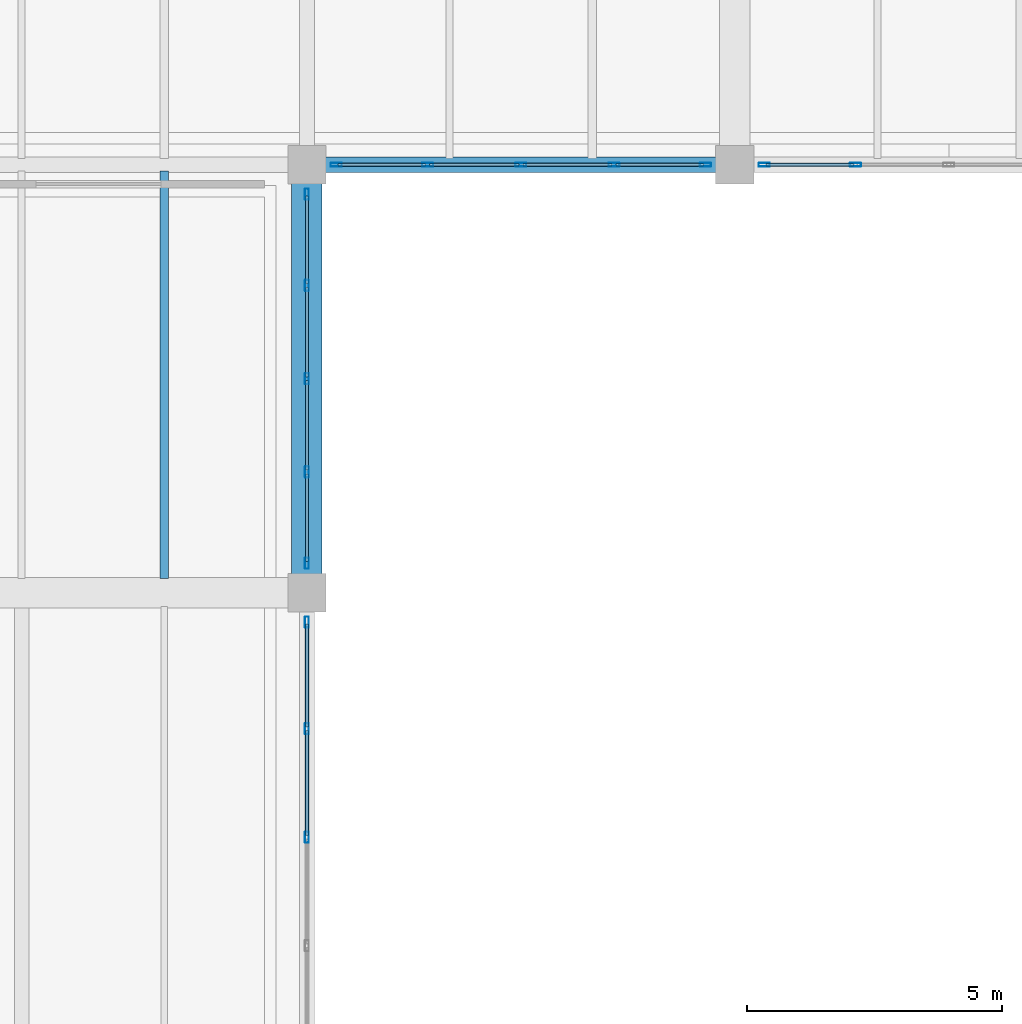
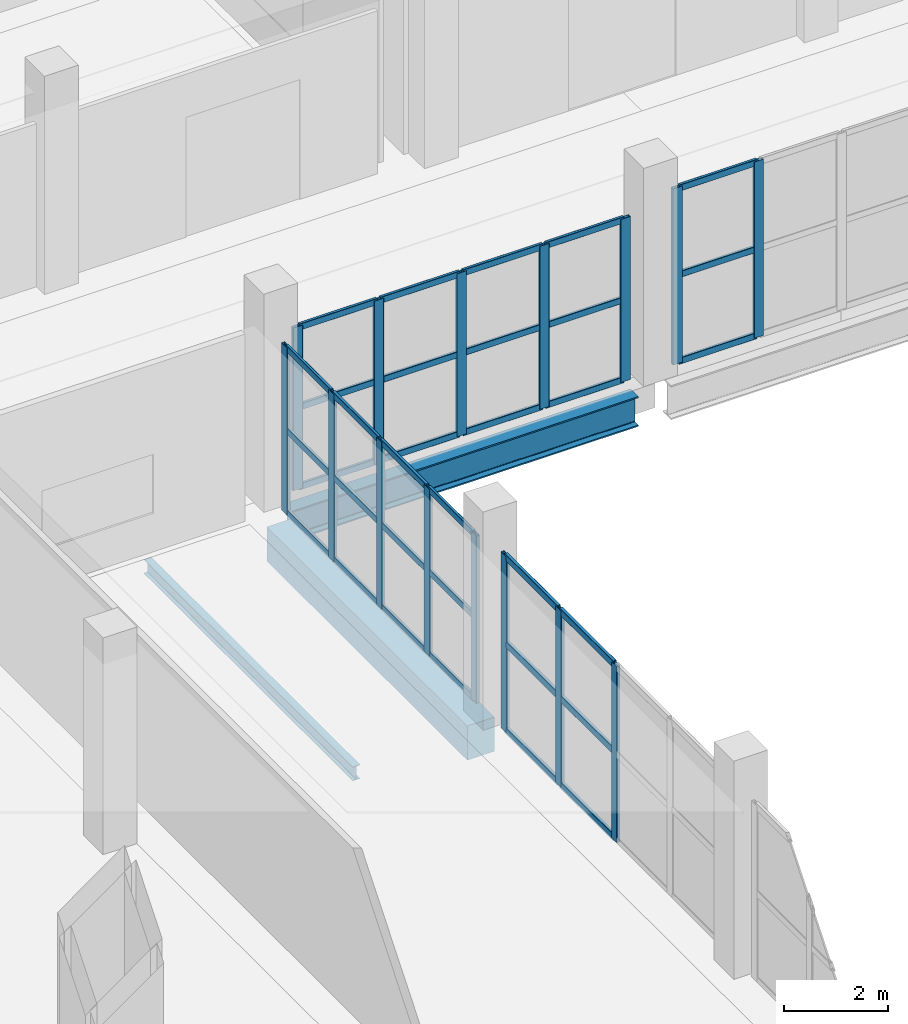
# One storey, part 42 of 77: 48 members, 3 beams, 4 elements without a shape of their own.
"""IFC4 building model written with IfcOpenShell, lengths in metres."""

import ifcopenshell
import ifcopenshell.guid

model = None  # the IFC model being written
_history = None  # IfcOwnerHistory: only IFC2X3 demands one
_inside = {}  # id of a spatial element -> (the spatial element, [elements in it])
_under = {}  # id of a project, library or spatial element -> (it, [spatial elements below it])
_declared = {}  # id of a project -> (the project, [libraries it declares])
_typed = {}  # id of a type object -> (the type object, [elements of that type])
_made_of = {}  # id of a material, layer set ... -> (it, [elements and type objects made of it])


def new_model(schema):
    """Start an empty IFC model of exactly this schema.

    Asked for "IFC4X3", IfcOpenShell would pick the latest addendum, in which some entities
    have other attributes; the version numbers below select the first issue.
    IFC2X3 requires an IfcOwnerHistory on every rooted entity: one is made here for all.
    """
    global model, _history
    if schema == "IFC4X3":
        model = ifcopenshell.file(schema_version=(4, 3, 0, 0))
    else:
        model = ifcopenshell.file(schema=schema)
    _inside.clear()
    _under.clear()
    _declared.clear()
    _typed.clear()
    _made_of.clear()
    _history = None
    if model.schema == "IFC2X3":
        org = make("IfcOrganization", Name="unknown")
        user = make(
            "IfcPersonAndOrganization",
            ThePerson=make("IfcPerson", FamilyName="unknown"),
            TheOrganization=org,
        )
        app = make(
            "IfcApplication",
            ApplicationDeveloper=org,
            Version="unknown",
            ApplicationFullName="unknown",
            ApplicationIdentifier="unknown",
        )
        _history = make(
            "IfcOwnerHistory",
            OwningUser=user,
            OwningApplication=app,
            ChangeAction="ADDED",
            CreationDate=0,
        )
    return model


def make(cls, **values):
    """One entity of the class cls with the attributes given. An attribute that is None is left unset."""
    return model.create_entity(
        cls, **{name: value for name, value in values.items() if value is not None}
    )


def rooted(cls, **values):
    """An entity with a GlobalId (a new one), such as an element, a storey or a relation."""
    return make(cls, GlobalId=ifcopenshell.guid.new(), OwnerHistory=_history, **values)


def si_unit(unit_type, name, prefix=None):
    """IfcSIUnit, for example si_unit("LENGTHUNIT", "METRE", prefix="MILLI")."""
    return make("IfcSIUnit", UnitType=unit_type, Prefix=prefix, Name=name)


def assignment(units):
    """IfcUnitAssignment: the units of a project."""
    return None if units is None else make("IfcUnitAssignment", Units=units)


def point(xyz):
    """IfcCartesianPoint."""
    return None if xyz is None else make("IfcCartesianPoint", Coordinates=xyz)


def direction(xyz):
    """IfcDirection."""
    return None if xyz is None else make("IfcDirection", DirectionRatios=xyz)


def frame(location, z_axis=None, x_axis=None):
    """IfcAxis2Placement3D, a coordinate frame: its origin and axes. An axis left out is left unset."""
    return make(
        "IfcAxis2Placement3D",
        Location=point(location),
        Axis=direction(z_axis),
        RefDirection=direction(x_axis),
    )


def frame_2d(location, x_axis=None):
    """IfcAxis2Placement2D, a coordinate frame in the plane: its origin and x axis."""
    return make(
        "IfcAxis2Placement2D", Location=point(location), RefDirection=direction(x_axis)
    )


def origin():
    """The frame at (0, 0, 0) with its axes left unset."""
    return frame((0.0, 0.0, 0.0))


def origin_2d():
    """The frame at (0, 0) in the plane with its x axis left unset."""
    return frame_2d((0.0, 0.0))


def place(relative_to, where):
    """IfcLocalPlacement: puts the frame where relative to a parent placement (None: the world)."""
    return make(
        "IfcLocalPlacement", PlacementRelTo=relative_to, RelativePlacement=where
    )


def context(
    kind, dimensions, precision=None, world=None, true_north=None, identifier=None
):
    """IfcGeometricRepresentationContext, for example the 3D "Model" context."""
    return make(
        "IfcGeometricRepresentationContext",
        ContextIdentifier=identifier,
        ContextType=kind,
        CoordinateSpaceDimension=dimensions,
        Precision=precision,
        WorldCoordinateSystem=world,
        TrueNorth=true_north,
    )


def subcontext(parent, identifier, kind, view, scale=None):
    """IfcGeometricRepresentationSubContext, for example "Body" below "Model"."""
    return make(
        "IfcGeometricRepresentationSubContext",
        ContextIdentifier=identifier,
        ContextType=kind,
        ParentContext=parent,
        TargetScale=scale,
        TargetView=view,
    )


def project(units=None, contexts=None):
    """IfcProject with its units and contexts."""
    return rooted(
        "IfcProject",
        Name="project",
        RepresentationContexts=contexts,
        UnitsInContext=assignment(units),
    )


def spatial(cls, under=None, at=None, **own):
    """A site, building, storey or space (cls), placed at a placement, below another one or the project."""
    s = rooted(cls, ObjectPlacement=at, **own)
    if under is not None:
        _under.setdefault(under.id(), (under, []))[1].append(s)
    return s


def profile(cls, at=None, kind="AREA", **sizes):
    """A parametric profile (cls). Its sizes go by their IFC names, for example OverallWidth=200.0."""
    return make(cls, ProfileType=kind, Position=at, **sizes)


def rectangle(**sizes):
    """IfcRectangleProfileDef."""
    return profile("IfcRectangleProfileDef", **sizes)


def hollow_rectangle(**sizes):
    """IfcRectangleHollowProfileDef."""
    return profile("IfcRectangleHollowProfileDef", **sizes)


def i_section(**sizes):
    """IfcIShapeProfileDef."""
    return profile("IfcIShapeProfileDef", **sizes)


def extrude(swept, where, along, depth):
    """IfcExtrudedAreaSolid: the profile swept, set in the frame where, extruded along a direction by depth."""
    return make(
        "IfcExtrudedAreaSolid",
        SweptArea=swept,
        Position=where,
        ExtrudedDirection=direction(along),
        Depth=depth,
    )


def shape(context_of_items, identifier, shape_type, items):
    """IfcShapeRepresentation: the items that make up one representation, for example the "Body"."""
    return make(
        "IfcShapeRepresentation",
        ContextOfItems=context_of_items,
        RepresentationIdentifier=identifier,
        RepresentationType=shape_type,
        Items=items,
    )


def material(Name=None, Category=None):
    """IfcMaterial."""
    return make("IfcMaterial", Name=Name, Category=Category)


def layer(
    of_material, thickness, ventilated=None, Name=None, Category=None, Priority=None
):
    """IfcMaterialLayer: one layer of a wall or slab, of a material (None: an air gap)."""
    return make(
        "IfcMaterialLayer",
        Material=of_material,
        LayerThickness=thickness,
        IsVentilated=ventilated,
        Name=Name,
        Category=Category,
        Priority=Priority,
    )


def layer_set(layers, Name=None):
    """IfcMaterialLayerSet."""
    return make("IfcMaterialLayerSet", MaterialLayers=layers, LayerSetName=Name)


def material_profile(
    of_material, cross_section, Name=None, Category=None, Priority=None
):
    """IfcMaterialProfile: a cross section and its material."""
    return make(
        "IfcMaterialProfile",
        Name=Name,
        Material=of_material,
        Profile=cross_section,
        Priority=Priority,
        Category=Category,
    )


def profile_set(profiles, Name=None, composite=None):
    """IfcMaterialProfileSet."""
    return make(
        "IfcMaterialProfileSet",
        Name=Name,
        MaterialProfiles=profiles,
        CompositeProfile=composite,
    )


def made_of(thing, what):
    """Note that an element or type object is made of a material, layer set ...; save() writes the relation."""
    if what is not None:
        _made_of.setdefault(what.id(), (what, []))[1].append(thing)
    return thing


def type_object(cls, material=None, **own):
    """A type object (cls), such as IfcWallType, which elements share."""
    return made_of(rooted(cls, **own), material)


def element(
    cls,
    number,
    at=None,
    inside=None,
    cuts=None,
    type_object=None,
    material=None,
    context=None,
    identifier="Body",
    shape_type=None,
    held_by="IfcProductDefinitionShape",
    body=None,
    shapes=None,
    **own,
):
    """One element of the class cls, such as IfcWall. Its Tag is "e" and its number.

    at: its placement. inside: the storey or other place that contains it. cuts: it is an
    opening in that element (IfcRelVoidsElement). A single representation is given by context,
    identifier, shape_type and body (its items); several are given by shapes. held_by: the class
    of the entity that holds the representations. save() writes the other relations.
    """
    e = rooted(cls, Tag="e%d" % number, ObjectPlacement=at, **own)
    if body is not None:
        shapes = [shape(context, identifier, shape_type, body)]
    if shapes is not None:
        e.Representation = make(held_by, Representations=shapes)
    if inside is not None:
        _inside.setdefault(inside.id(), (inside, []))[1].append(e)
    if cuts is not None:
        rooted(
            "IfcRelVoidsElement", RelatingBuildingElement=cuts, RelatedOpeningElement=e
        )
    if type_object is not None:
        _typed.setdefault(type_object.id(), (type_object, []))[1].append(e)
    return made_of(e, material)


def aggregate(whole, parts):
    """IfcRelAggregates: a whole, such as a stair, and the parts it consists of."""
    return rooted("IfcRelAggregates", RelatingObject=whole, RelatedObjects=parts)


def save(model, path):
    """Write the relations noted so far, then the file.

    IfcRelAggregates (storeys below a building ...), IfcRelContainedInSpatialStructure (elements
    in a storey), IfcRelDefinesByType, IfcRelAssociatesMaterial and IfcRelDeclares: one each for
    every whole, place, type object, material and project.
    """
    for whole, parts in _under.values():
        aggregate(whole, parts)
    for where, things in _inside.values():
        rooted(
            "IfcRelContainedInSpatialStructure",
            RelatedElements=things,
            RelatingStructure=where,
        )
    for kind, things in _typed.values():
        rooted("IfcRelDefinesByType", RelatedObjects=things, RelatingType=kind)
    for what, things in _made_of.values():
        rooted("IfcRelAssociatesMaterial", RelatedObjects=things, RelatingMaterial=what)
    for by, libraries in _declared.values():
        rooted("IfcRelDeclares", RelatingContext=by, RelatedDefinitions=libraries)
    model.write(path)


model = new_model("IFC4")

# Units and contexts
model_context = context("Model", 3, precision=1e-05, world=origin(), true_north=direction((0.0, 1.0)))
body_context = subcontext(model_context, "Body", "Model", "MODEL_VIEW")
ifc_project = project(units=[si_unit("LENGTHUNIT", "METRE"), si_unit("AREAUNIT", "SQUARE_METRE"), si_unit("VOLUMEUNIT", "CUBIC_METRE"), si_unit("PLANEANGLEUNIT", "RADIAN"), si_unit("MASSUNIT", "GRAM", prefix="KILO")], contexts=[model_context])

# Site, building, storey
site_placement = place(None, origin())
site = spatial("IfcSite", under=ifc_project, at=site_placement, CompositionType="ELEMENT")
building_placement = place(site_placement, origin())
building = spatial("IfcBuilding", under=site, at=building_placement, Name="Zulmaris Art Gallery", CompositionType="ELEMENT")
storey_placement = place(building_placement, frame((0.0, 0.0, 15.60009765625)))
storey = spatial("IfcBuildingStorey", under=building, at=storey_placement, Name="L03", CompositionType="ELEMENT", Elevation=15.60009765625)

# Beams
ifc_material_1 = material(Name="Steel S355J2", Category="steel")
ifc_material_profile_1 = material_profile(ifc_material_1, i_section(OverallWidth=0.300048828125, OverallDepth=0.699951171875, WebThickness=0.01708984375, FlangeThickness=0.031982421875, FilletRadius=0.027099609375, at=origin_2d()), Name="HEB 700")
ifc_profile_set_1 = profile_set([ifc_material_profile_1], Name="Steel S355J2")
beam_type_1 = type_object("IfcBeamType", Name="BEAM-BM16", PredefinedType="BEAM", material=ifc_profile_set_1)
beam_1_placement = place(storey_placement, frame((158.760009765625, 58.800048828125, -0.72021484375), z_axis=(1.0, 0.0, 0.0), x_axis=(0.0, 1.0, 0.0)))
element("IfcBeam", 1, at=beam_1_placement, inside=storey, type_object=beam_type_1, Name="L03 X-girder (158.4..166.8, y=58.8)", PredefinedType="BEAM", context=body_context, shape_type="SweptSolid", body=[
    extrude(i_section(OverallWidth=0.300048828125, OverallDepth=0.699951171875, WebThickness=0.01708984375, FlangeThickness=0.031982421875, FilletRadius=0.027099609375, at=origin_2d()), origin(), (0.0, 0.0, 1.0), 7.679931640625),
])
ifc_material_2 = material(Name="Concrete C40/50", Category="concrete")
ifc_material_profile_2 = material_profile(ifc_material_2, rectangle(XDim=0.60009765625, YDim=0.800048828125, at=origin_2d()), Name="RC 600x800")
ifc_profile_set_2 = profile_set([ifc_material_profile_2], Name="Concrete C40/50")
beam_type_2 = type_object("IfcBeamType", Name="BEAM-BM27", PredefinedType="BEAM", material=ifc_profile_set_2)
beam_2_placement = place(storey_placement, frame((158.39990234375, 50.760009765625, -0.77001953125), z_axis=(0.0, 1.0, 0.0), x_axis=(-1.0, 0.0, 0.0)))
element("IfcBeam", 2, at=beam_2_placement, inside=storey, type_object=beam_type_2, Name="L03 Y-girder (x=158.4, 50.4..58.8)", PredefinedType="BEAM", context=body_context, shape_type="SweptSolid", body=[
    extrude(rectangle(XDim=0.60009765625, YDim=0.800048828125, at=origin_2d()), origin(), (0.0, 0.0, 1.0), 7.679931640625),
])
ifc_material_profile_3 = material_profile(ifc_material_1, i_section(OverallWidth=0.159912109375, OverallDepth=0.330078125, WebThickness=0.007568359375, FlangeThickness=0.011474609375, FilletRadius=0.01806640625, at=origin_2d()), Name="IPE 330")
ifc_profile_set_3 = profile_set([ifc_material_profile_3], Name="Steel S355J2")
beam_type_3 = type_object("IfcBeamType", Name="BEAM-JS03", PredefinedType="JOIST", material=ifc_profile_set_3)
beam_3_placement = place(storey_placement, frame((155.60009765625, 50.675048828125, -0.53515625), z_axis=(0.0, 1.0, 0.0), x_axis=(-1.0, 0.0, 0.0)))
element("IfcBeam", 3, at=beam_3_placement, inside=storey, type_object=beam_type_3, Name="L03 secondary joist at x=155.6", PredefinedType="JOIST", context=body_context, shape_type="SweptSolid", body=[
    extrude(i_section(OverallWidth=0.159912109375, OverallDepth=0.330078125, WebThickness=0.007568359375, FlangeThickness=0.011474609375, FilletRadius=0.01806640625, at=origin_2d()), origin(), (0.0, 0.0, 1.0), 8.0),
])

# Curtain wall, members
ifc_material_3 = material(Name="Courtyard Artists Studio Curtain Wall", Category="aluminium")
ifc_layer = layer(ifc_material_3, 0.179931640625)
ifc_layer_set = layer_set([ifc_layer], Name="Courtyard Artists Studio Curtain Wall")
curtain_wall_type = type_object("IfcCurtainWallType", Name="CW-CW04", PredefinedType="NOTDEFINED", material=ifc_layer_set)
curtain_wall_1_placement = place(storey_placement, origin())
curtain_wall_1 = element("IfcCurtainWall", 4, at=curtain_wall_1_placement, inside=storey, type_object=curtain_wall_type, Name="L03 curtain wall 149", PredefinedType="NOTDEFINED")
ifc_material_4 = material(Name="Anodised Bronze Aluminium", Category="aluminium")
ifc_material_profile_4 = material_profile(ifc_material_4, hollow_rectangle(XDim=0.074951171875, YDim=0.219970703125, WallThickness=0.0048828125, InnerFilletRadius=0.007568359375, OuterFilletRadius=0.012451171875, at=origin_2d()), Name="ALU 75x220x5")
ifc_profile_set_4 = profile_set([ifc_material_profile_4], Name="Anodised Bronze Aluminium")
member_type_1 = type_object("IfcMemberType", Name="CWMUL-02", PredefinedType="MULLION", material=ifc_profile_set_4)
member_1_placement = place(storey_placement, frame((158.39990234375, 45.60009765625, 0.0), z_axis=(0.0, 0.0, 1.0), x_axis=(-1.0, 0.0, 0.0)))
member_1 = element("IfcMember", 5, at=member_1_placement, type_object=member_type_1, Name="CW04 mullion 3", PredefinedType="MULLION", context=body_context, shape_type="SweptSolid", body=[
    extrude(hollow_rectangle(XDim=0.074951171875, YDim=0.219970703125, WallThickness=0.0048828125, InnerFilletRadius=0.007568359375, OuterFilletRadius=0.012451171875, at=origin_2d()), origin(), (0.0, 0.0, 1.0), 4.119873046875),
])
member_2_placement = place(storey_placement, frame((158.39990234375, 47.72998046875, 0.0), z_axis=(0.0, 0.0, 1.0), x_axis=(-1.0, 0.0, 0.0)))
member_2 = element("IfcMember", 6, at=member_2_placement, type_object=member_type_1, Name="CW04 mullion 4", PredefinedType="MULLION", context=body_context, shape_type="SweptSolid", body=[
    extrude(hollow_rectangle(XDim=0.074951171875, YDim=0.219970703125, WallThickness=0.0048828125, InnerFilletRadius=0.007568359375, OuterFilletRadius=0.012451171875, at=origin_2d()), origin(), (0.0, 0.0, 1.0), 4.119873046875),
])
member_3_placement = place(storey_placement, frame((158.39990234375, 49.822509765625, 0.0), z_axis=(0.0, 0.0, 1.0), x_axis=(-1.0, 0.0, 0.0)))
member_3 = element("IfcMember", 7, at=member_3_placement, type_object=member_type_1, Name="CW04 mullion 5", PredefinedType="MULLION", context=body_context, shape_type="SweptSolid", body=[
    extrude(hollow_rectangle(XDim=0.074951171875, YDim=0.219970703125, WallThickness=0.0048828125, InnerFilletRadius=0.007568359375, OuterFilletRadius=0.012451171875, at=origin_2d()), origin(), (0.0, 0.0, 1.0), 4.119873046875),
])

curtain_wall_2_placement = place(storey_placement, origin())
curtain_wall_2 = element("IfcCurtainWall", 8, at=curtain_wall_2_placement, inside=storey, type_object=curtain_wall_type, Name="L03 curtain wall 151", PredefinedType="NOTDEFINED")
member_4_placement = place(storey_placement, frame((158.39990234375, 50.9775390625, 0.0), z_axis=(0.0, 0.0, 1.0), x_axis=(-1.0, 0.0, 0.0)))
member_4 = element("IfcMember", 9, at=member_4_placement, type_object=member_type_1, Name="CW04 mullion 1", PredefinedType="MULLION", context=body_context, shape_type="SweptSolid", body=[
    extrude(hollow_rectangle(XDim=0.074951171875, YDim=0.219970703125, WallThickness=0.0048828125, InnerFilletRadius=0.007568359375, OuterFilletRadius=0.012451171875, at=origin_2d()), origin(), (0.0, 0.0, 1.0), 3.909912109375),
])
member_5_placement = place(storey_placement, frame((158.39990234375, 52.77001953125, 0.0), z_axis=(0.0, 0.0, 1.0), x_axis=(-1.0, 0.0, 0.0)))
member_5 = element("IfcMember", 10, at=member_5_placement, type_object=member_type_1, Name="CW04 mullion 2", PredefinedType="MULLION", context=body_context, shape_type="SweptSolid", body=[
    extrude(hollow_rectangle(XDim=0.074951171875, YDim=0.219970703125, WallThickness=0.0048828125, InnerFilletRadius=0.007568359375, OuterFilletRadius=0.012451171875, at=origin_2d()), origin(), (0.0, 0.0, 1.0), 3.909912109375),
])
member_6_placement = place(storey_placement, frame((158.39990234375, 54.60009765625, 0.0), z_axis=(0.0, 0.0, 1.0), x_axis=(-1.0, 0.0, 0.0)))
member_6 = element("IfcMember", 11, at=member_6_placement, type_object=member_type_1, Name="CW04 mullion 3", PredefinedType="MULLION", context=body_context, shape_type="SweptSolid", body=[
    extrude(hollow_rectangle(XDim=0.074951171875, YDim=0.219970703125, WallThickness=0.0048828125, InnerFilletRadius=0.007568359375, OuterFilletRadius=0.012451171875, at=origin_2d()), origin(), (0.0, 0.0, 1.0), 3.909912109375),
])
member_7_placement = place(storey_placement, frame((158.39990234375, 56.429931640625, 0.0), z_axis=(0.0, 0.0, 1.0), x_axis=(-1.0, 0.0, 0.0)))
member_7 = element("IfcMember", 12, at=member_7_placement, type_object=member_type_1, Name="CW04 mullion 4", PredefinedType="MULLION", context=body_context, shape_type="SweptSolid", body=[
    extrude(hollow_rectangle(XDim=0.074951171875, YDim=0.219970703125, WallThickness=0.0048828125, InnerFilletRadius=0.007568359375, OuterFilletRadius=0.012451171875, at=origin_2d()), origin(), (0.0, 0.0, 1.0), 3.909912109375),
])
member_8_placement = place(storey_placement, frame((158.39990234375, 58.222412109375, 0.0), z_axis=(0.0, 0.0, 1.0), x_axis=(-1.0, 0.0, 0.0)))
member_8 = element("IfcMember", 13, at=member_8_placement, type_object=member_type_1, Name="CW04 mullion 5", PredefinedType="MULLION", context=body_context, shape_type="SweptSolid", body=[
    extrude(hollow_rectangle(XDim=0.074951171875, YDim=0.219970703125, WallThickness=0.0048828125, InnerFilletRadius=0.007568359375, OuterFilletRadius=0.012451171875, at=origin_2d()), origin(), (0.0, 0.0, 1.0), 3.909912109375),
])

curtain_wall_3_placement = place(storey_placement, origin())
curtain_wall_3 = element("IfcCurtainWall", 14, at=curtain_wall_3_placement, inside=storey, type_object=curtain_wall_type, Name="L03 curtain wall 153", PredefinedType="NOTDEFINED")
member_9_placement = place(storey_placement, frame((166.222412109375, 58.800048828125, 0.0), z_axis=(0.0, 0.0, 1.0), x_axis=(0.0, -1.0, 0.0)))
member_9 = element("IfcMember", 15, at=member_9_placement, type_object=member_type_1, Name="CW04 mullion 1", PredefinedType="MULLION", context=body_context, shape_type="SweptSolid", body=[
    extrude(hollow_rectangle(XDim=0.074951171875, YDim=0.219970703125, WallThickness=0.0048828125, InnerFilletRadius=0.007568359375, OuterFilletRadius=0.012451171875, at=origin_2d()), origin(), (0.0, 0.0, 1.0), 3.809814453125),
])
member_10_placement = place(storey_placement, frame((164.429931640625, 58.800048828125, 0.0), z_axis=(0.0, 0.0, 1.0), x_axis=(0.0, -1.0, 0.0)))
member_10 = element("IfcMember", 16, at=member_10_placement, type_object=member_type_1, Name="CW04 mullion 2", PredefinedType="MULLION", context=body_context, shape_type="SweptSolid", body=[
    extrude(hollow_rectangle(XDim=0.074951171875, YDim=0.219970703125, WallThickness=0.0048828125, InnerFilletRadius=0.007568359375, OuterFilletRadius=0.012451171875, at=origin_2d()), origin(), (0.0, 0.0, 1.0), 3.809814453125),
])
member_11_placement = place(storey_placement, frame((162.60009765625, 58.800048828125, 0.0), z_axis=(0.0, 0.0, 1.0), x_axis=(0.0, -1.0, 0.0)))
member_11 = element("IfcMember", 17, at=member_11_placement, type_object=member_type_1, Name="CW04 mullion 3", PredefinedType="MULLION", context=body_context, shape_type="SweptSolid", body=[
    extrude(hollow_rectangle(XDim=0.074951171875, YDim=0.219970703125, WallThickness=0.0048828125, InnerFilletRadius=0.007568359375, OuterFilletRadius=0.012451171875, at=origin_2d()), origin(), (0.0, 0.0, 1.0), 3.809814453125),
])
member_12_placement = place(storey_placement, frame((160.77001953125, 58.800048828125, 0.0), z_axis=(0.0, 0.0, 1.0), x_axis=(0.0, -1.0, 0.0)))
member_12 = element("IfcMember", 18, at=member_12_placement, type_object=member_type_1, Name="CW04 mullion 4", PredefinedType="MULLION", context=body_context, shape_type="SweptSolid", body=[
    extrude(hollow_rectangle(XDim=0.074951171875, YDim=0.219970703125, WallThickness=0.0048828125, InnerFilletRadius=0.007568359375, OuterFilletRadius=0.012451171875, at=origin_2d()), origin(), (0.0, 0.0, 1.0), 3.809814453125),
])
member_13_placement = place(storey_placement, frame((158.9775390625, 58.800048828125, 0.0), z_axis=(0.0, 0.0, 1.0), x_axis=(0.0, -1.0, 0.0)))
member_13 = element("IfcMember", 19, at=member_13_placement, type_object=member_type_1, Name="CW04 mullion 5", PredefinedType="MULLION", context=body_context, shape_type="SweptSolid", body=[
    extrude(hollow_rectangle(XDim=0.074951171875, YDim=0.219970703125, WallThickness=0.0048828125, InnerFilletRadius=0.007568359375, OuterFilletRadius=0.012451171875, at=origin_2d()), origin(), (0.0, 0.0, 1.0), 3.809814453125),
])

curtain_wall_4_placement = place(storey_placement, origin())
curtain_wall_4 = element("IfcCurtainWall", 20, at=curtain_wall_4_placement, inside=storey, type_object=curtain_wall_type, Name="L03 curtain wall 155", PredefinedType="NOTDEFINED")
member_14_placement = place(storey_placement, frame((169.169921875, 58.800048828125, 0.0), z_axis=(0.0, 0.0, 1.0), x_axis=(0.0, -1.0, 0.0)))
member_14 = element("IfcMember", 21, at=member_14_placement, type_object=member_type_1, Name="CW04 mullion 4", PredefinedType="MULLION", context=body_context, shape_type="SweptSolid", body=[
    extrude(hollow_rectangle(XDim=0.074951171875, YDim=0.219970703125, WallThickness=0.0048828125, InnerFilletRadius=0.007568359375, OuterFilletRadius=0.012451171875, at=origin_2d()), origin(), (0.0, 0.0, 1.0), 4.119873046875),
])
member_15_placement = place(storey_placement, frame((167.37744140625, 58.800048828125, 0.0), z_axis=(0.0, 0.0, 1.0), x_axis=(0.0, -1.0, 0.0)))
member_15 = element("IfcMember", 22, at=member_15_placement, type_object=member_type_1, Name="CW04 mullion 5", PredefinedType="MULLION", context=body_context, shape_type="SweptSolid", body=[
    extrude(hollow_rectangle(XDim=0.074951171875, YDim=0.219970703125, WallThickness=0.0048828125, InnerFilletRadius=0.007568359375, OuterFilletRadius=0.012451171875, at=origin_2d()), origin(), (0.0, 0.0, 1.0), 4.119873046875),
])

# Member
ifc_material_profile_5 = material_profile(ifc_material_4, hollow_rectangle(XDim=0.06494140625, YDim=0.14990234375, WallThickness=0.00390625, InnerFilletRadius=0.006103515625, OuterFilletRadius=0.010009765625, at=origin_2d()), Name="ALU 65x150x4")
ifc_profile_set_5 = profile_set([ifc_material_profile_5], Name="Anodised Bronze Aluminium")
member_type_2 = type_object("IfcMemberType", Name="CWTRN-01", PredefinedType="USERDEFINED", material=ifc_profile_set_5)
member_16_placement = place(storey_placement, frame((158.39990234375, 51.014892578125, 0.037353515625), z_axis=(0.0, 1.0, 0.0), x_axis=(-1.0, 0.0, 0.0)))
member_16 = element("IfcMember", 23, at=member_16_placement, type_object=member_type_2, Name="CW04 transom 1.1", ObjectType="TRANSOM", PredefinedType="USERDEFINED", context=body_context, shape_type="SweptSolid", body=[
    extrude(hollow_rectangle(XDim=0.06494140625, YDim=0.14990234375, WallThickness=0.00390625, InnerFilletRadius=0.006103515625, OuterFilletRadius=0.010009765625, at=origin_2d()), origin(), (0.0, 0.0, 1.0), 1.717529296875),
])

member_17_placement = place(storey_placement, frame((158.39990234375, 51.014892578125, 1.954833984375), z_axis=(0.0, 1.0, 0.0), x_axis=(-1.0, 0.0, 0.0)))
member_17 = element("IfcMember", 24, at=member_17_placement, type_object=member_type_2, Name="CW04 transom 1.2", ObjectType="TRANSOM", PredefinedType="USERDEFINED", context=body_context, shape_type="SweptSolid", body=[
    extrude(hollow_rectangle(XDim=0.06494140625, YDim=0.14990234375, WallThickness=0.00390625, InnerFilletRadius=0.006103515625, OuterFilletRadius=0.010009765625, at=origin_2d()), origin(), (0.0, 0.0, 1.0), 1.717529296875),
])

member_18_placement = place(storey_placement, frame((158.39990234375, 51.014892578125, 3.872314453125), z_axis=(0.0, 1.0, 0.0), x_axis=(-1.0, 0.0, 0.0)))
member_18 = element("IfcMember", 25, at=member_18_placement, type_object=member_type_2, Name="CW04 transom 1.3", ObjectType="TRANSOM", PredefinedType="USERDEFINED", context=body_context, shape_type="SweptSolid", body=[
    extrude(hollow_rectangle(XDim=0.06494140625, YDim=0.14990234375, WallThickness=0.00390625, InnerFilletRadius=0.006103515625, OuterFilletRadius=0.010009765625, at=origin_2d()), origin(), (0.0, 0.0, 1.0), 1.717529296875),
])

member_19_placement = place(storey_placement, frame((158.39990234375, 52.8076171875, 0.037353515625), z_axis=(0.0, 1.0, 0.0), x_axis=(-1.0, 0.0, 0.0)))
member_19 = element("IfcMember", 26, at=member_19_placement, type_object=member_type_2, Name="CW04 transom 2.1", ObjectType="TRANSOM", PredefinedType="USERDEFINED", context=body_context, shape_type="SweptSolid", body=[
    extrude(hollow_rectangle(XDim=0.06494140625, YDim=0.14990234375, WallThickness=0.00390625, InnerFilletRadius=0.006103515625, OuterFilletRadius=0.010009765625, at=origin_2d()), origin(), (0.0, 0.0, 1.0), 1.7548828125),
])

member_20_placement = place(storey_placement, frame((158.39990234375, 52.8076171875, 1.954833984375), z_axis=(0.0, 1.0, 0.0), x_axis=(-1.0, 0.0, 0.0)))
member_20 = element("IfcMember", 27, at=member_20_placement, type_object=member_type_2, Name="CW04 transom 2.2", ObjectType="TRANSOM", PredefinedType="USERDEFINED", context=body_context, shape_type="SweptSolid", body=[
    extrude(hollow_rectangle(XDim=0.06494140625, YDim=0.14990234375, WallThickness=0.00390625, InnerFilletRadius=0.006103515625, OuterFilletRadius=0.010009765625, at=origin_2d()), origin(), (0.0, 0.0, 1.0), 1.7548828125),
])

member_21_placement = place(storey_placement, frame((158.39990234375, 52.8076171875, 3.872314453125), z_axis=(0.0, 1.0, 0.0), x_axis=(-1.0, 0.0, 0.0)))
member_21 = element("IfcMember", 28, at=member_21_placement, type_object=member_type_2, Name="CW04 transom 2.3", ObjectType="TRANSOM", PredefinedType="USERDEFINED", context=body_context, shape_type="SweptSolid", body=[
    extrude(hollow_rectangle(XDim=0.06494140625, YDim=0.14990234375, WallThickness=0.00390625, InnerFilletRadius=0.006103515625, OuterFilletRadius=0.010009765625, at=origin_2d()), origin(), (0.0, 0.0, 1.0), 1.7548828125),
])

member_22_placement = place(storey_placement, frame((158.39990234375, 54.637451171875, 0.037353515625), z_axis=(0.0, 1.0, 0.0), x_axis=(-1.0, 0.0, 0.0)))
member_22 = element("IfcMember", 29, at=member_22_placement, type_object=member_type_2, Name="CW04 transom 3.1", ObjectType="TRANSOM", PredefinedType="USERDEFINED", context=body_context, shape_type="SweptSolid", body=[
    extrude(hollow_rectangle(XDim=0.06494140625, YDim=0.14990234375, WallThickness=0.00390625, InnerFilletRadius=0.006103515625, OuterFilletRadius=0.010009765625, at=origin_2d()), origin(), (0.0, 0.0, 1.0), 1.755126953125),
])

member_23_placement = place(storey_placement, frame((158.39990234375, 54.637451171875, 1.954833984375), z_axis=(0.0, 1.0, 0.0), x_axis=(-1.0, 0.0, 0.0)))
member_23 = element("IfcMember", 30, at=member_23_placement, type_object=member_type_2, Name="CW04 transom 3.2", ObjectType="TRANSOM", PredefinedType="USERDEFINED", context=body_context, shape_type="SweptSolid", body=[
    extrude(hollow_rectangle(XDim=0.06494140625, YDim=0.14990234375, WallThickness=0.00390625, InnerFilletRadius=0.006103515625, OuterFilletRadius=0.010009765625, at=origin_2d()), origin(), (0.0, 0.0, 1.0), 1.755126953125),
])

member_24_placement = place(storey_placement, frame((158.39990234375, 54.637451171875, 3.872314453125), z_axis=(0.0, 1.0, 0.0), x_axis=(-1.0, 0.0, 0.0)))
member_24 = element("IfcMember", 31, at=member_24_placement, type_object=member_type_2, Name="CW04 transom 3.3", ObjectType="TRANSOM", PredefinedType="USERDEFINED", context=body_context, shape_type="SweptSolid", body=[
    extrude(hollow_rectangle(XDim=0.06494140625, YDim=0.14990234375, WallThickness=0.00390625, InnerFilletRadius=0.006103515625, OuterFilletRadius=0.010009765625, at=origin_2d()), origin(), (0.0, 0.0, 1.0), 1.755126953125),
])

member_25_placement = place(storey_placement, frame((158.39990234375, 56.467529296875, 0.037353515625), z_axis=(0.0, 1.0, 0.0), x_axis=(-1.0, 0.0, 0.0)))
member_25 = element("IfcMember", 32, at=member_25_placement, type_object=member_type_2, Name="CW04 transom 4.1", ObjectType="TRANSOM", PredefinedType="USERDEFINED", context=body_context, shape_type="SweptSolid", body=[
    extrude(hollow_rectangle(XDim=0.06494140625, YDim=0.14990234375, WallThickness=0.00390625, InnerFilletRadius=0.006103515625, OuterFilletRadius=0.010009765625, at=origin_2d()), origin(), (0.0, 0.0, 1.0), 1.717529296875),
])

member_26_placement = place(storey_placement, frame((158.39990234375, 56.467529296875, 1.954833984375), z_axis=(0.0, 1.0, 0.0), x_axis=(-1.0, 0.0, 0.0)))
member_26 = element("IfcMember", 33, at=member_26_placement, type_object=member_type_2, Name="CW04 transom 4.2", ObjectType="TRANSOM", PredefinedType="USERDEFINED", context=body_context, shape_type="SweptSolid", body=[
    extrude(hollow_rectangle(XDim=0.06494140625, YDim=0.14990234375, WallThickness=0.00390625, InnerFilletRadius=0.006103515625, OuterFilletRadius=0.010009765625, at=origin_2d()), origin(), (0.0, 0.0, 1.0), 1.717529296875),
])

member_27_placement = place(storey_placement, frame((158.39990234375, 56.467529296875, 3.872314453125), z_axis=(0.0, 1.0, 0.0), x_axis=(-1.0, 0.0, 0.0)))
member_27 = element("IfcMember", 34, at=member_27_placement, type_object=member_type_2, Name="CW04 transom 4.3", ObjectType="TRANSOM", PredefinedType="USERDEFINED", context=body_context, shape_type="SweptSolid", body=[
    extrude(hollow_rectangle(XDim=0.06494140625, YDim=0.14990234375, WallThickness=0.00390625, InnerFilletRadius=0.006103515625, OuterFilletRadius=0.010009765625, at=origin_2d()), origin(), (0.0, 0.0, 1.0), 1.717529296875),
])

aggregate(curtain_wall_2, [member_4, member_5, member_6, member_7, member_8, member_16, member_17, member_18, member_19, member_20, member_21, member_22, member_23, member_24, member_25, member_26, member_27])

member_28_placement = place(storey_placement, frame((166.18505859375, 58.800048828125, 0.037353515625), z_axis=(-1.0, 0.0, 0.0), x_axis=(0.0, -1.0, 0.0)))
member_28 = element("IfcMember", 35, at=member_28_placement, type_object=member_type_2, Name="CW04 transom 1.1", ObjectType="TRANSOM", PredefinedType="USERDEFINED", context=body_context, shape_type="SweptSolid", body=[
    extrude(hollow_rectangle(XDim=0.06494140625, YDim=0.14990234375, WallThickness=0.00390625, InnerFilletRadius=0.006103515625, OuterFilletRadius=0.010009765625, at=origin_2d()), origin(), (0.0, 0.0, 1.0), 1.717529296875),
])

member_29_placement = place(storey_placement, frame((166.18505859375, 58.800048828125, 1.90478515625), z_axis=(-1.0, 0.0, 0.0), x_axis=(0.0, -1.0, 0.0)))
member_29 = element("IfcMember", 36, at=member_29_placement, type_object=member_type_2, Name="CW04 transom 1.2", ObjectType="TRANSOM", PredefinedType="USERDEFINED", context=body_context, shape_type="SweptSolid", body=[
    extrude(hollow_rectangle(XDim=0.06494140625, YDim=0.14990234375, WallThickness=0.00390625, InnerFilletRadius=0.006103515625, OuterFilletRadius=0.010009765625, at=origin_2d()), origin(), (0.0, 0.0, 1.0), 1.717529296875),
])

member_30_placement = place(storey_placement, frame((166.18505859375, 58.800048828125, 3.7724609375), z_axis=(-1.0, 0.0, 0.0), x_axis=(0.0, -1.0, 0.0)))
member_30 = element("IfcMember", 37, at=member_30_placement, type_object=member_type_2, Name="CW04 transom 1.3", ObjectType="TRANSOM", PredefinedType="USERDEFINED", context=body_context, shape_type="SweptSolid", body=[
    extrude(hollow_rectangle(XDim=0.06494140625, YDim=0.14990234375, WallThickness=0.00390625, InnerFilletRadius=0.006103515625, OuterFilletRadius=0.010009765625, at=origin_2d()), origin(), (0.0, 0.0, 1.0), 1.717529296875),
])

member_31_placement = place(storey_placement, frame((164.392578125, 58.800048828125, 0.037353515625), z_axis=(-1.0, 0.0, 0.0), x_axis=(0.0, -1.0, 0.0)))
member_31 = element("IfcMember", 38, at=member_31_placement, type_object=member_type_2, Name="CW04 transom 2.1", ObjectType="TRANSOM", PredefinedType="USERDEFINED", context=body_context, shape_type="SweptSolid", body=[
    extrude(hollow_rectangle(XDim=0.06494140625, YDim=0.14990234375, WallThickness=0.00390625, InnerFilletRadius=0.006103515625, OuterFilletRadius=0.010009765625, at=origin_2d()), origin(), (0.0, 0.0, 1.0), 1.755126953125),
])

member_32_placement = place(storey_placement, frame((164.392578125, 58.800048828125, 1.90478515625), z_axis=(-1.0, 0.0, 0.0), x_axis=(0.0, -1.0, 0.0)))
member_32 = element("IfcMember", 39, at=member_32_placement, type_object=member_type_2, Name="CW04 transom 2.2", ObjectType="TRANSOM", PredefinedType="USERDEFINED", context=body_context, shape_type="SweptSolid", body=[
    extrude(hollow_rectangle(XDim=0.06494140625, YDim=0.14990234375, WallThickness=0.00390625, InnerFilletRadius=0.006103515625, OuterFilletRadius=0.010009765625, at=origin_2d()), origin(), (0.0, 0.0, 1.0), 1.755126953125),
])

member_33_placement = place(storey_placement, frame((164.392578125, 58.800048828125, 3.7724609375), z_axis=(-1.0, 0.0, 0.0), x_axis=(0.0, -1.0, 0.0)))
member_33 = element("IfcMember", 40, at=member_33_placement, type_object=member_type_2, Name="CW04 transom 2.3", ObjectType="TRANSOM", PredefinedType="USERDEFINED", context=body_context, shape_type="SweptSolid", body=[
    extrude(hollow_rectangle(XDim=0.06494140625, YDim=0.14990234375, WallThickness=0.00390625, InnerFilletRadius=0.006103515625, OuterFilletRadius=0.010009765625, at=origin_2d()), origin(), (0.0, 0.0, 1.0), 1.755126953125),
])

member_34_placement = place(storey_placement, frame((162.5625, 58.800048828125, 0.037353515625), z_axis=(-1.0, 0.0, 0.0), x_axis=(0.0, -1.0, 0.0)))
member_34 = element("IfcMember", 41, at=member_34_placement, type_object=member_type_2, Name="CW04 transom 3.1", ObjectType="TRANSOM", PredefinedType="USERDEFINED", context=body_context, shape_type="SweptSolid", body=[
    extrude(hollow_rectangle(XDim=0.06494140625, YDim=0.14990234375, WallThickness=0.00390625, InnerFilletRadius=0.006103515625, OuterFilletRadius=0.010009765625, at=origin_2d()), origin(), (0.0, 0.0, 1.0), 1.7548828125),
])

member_35_placement = place(storey_placement, frame((162.5625, 58.800048828125, 1.90478515625), z_axis=(-1.0, 0.0, 0.0), x_axis=(0.0, -1.0, 0.0)))
member_35 = element("IfcMember", 42, at=member_35_placement, type_object=member_type_2, Name="CW04 transom 3.2", ObjectType="TRANSOM", PredefinedType="USERDEFINED", context=body_context, shape_type="SweptSolid", body=[
    extrude(hollow_rectangle(XDim=0.06494140625, YDim=0.14990234375, WallThickness=0.00390625, InnerFilletRadius=0.006103515625, OuterFilletRadius=0.010009765625, at=origin_2d()), origin(), (0.0, 0.0, 1.0), 1.7548828125),
])

member_36_placement = place(storey_placement, frame((162.5625, 58.800048828125, 3.7724609375), z_axis=(-1.0, 0.0, 0.0), x_axis=(0.0, -1.0, 0.0)))
member_36 = element("IfcMember", 43, at=member_36_placement, type_object=member_type_2, Name="CW04 transom 3.3", ObjectType="TRANSOM", PredefinedType="USERDEFINED", context=body_context, shape_type="SweptSolid", body=[
    extrude(hollow_rectangle(XDim=0.06494140625, YDim=0.14990234375, WallThickness=0.00390625, InnerFilletRadius=0.006103515625, OuterFilletRadius=0.010009765625, at=origin_2d()), origin(), (0.0, 0.0, 1.0), 1.7548828125),
])

member_37_placement = place(storey_placement, frame((160.732421875, 58.800048828125, 0.037353515625), z_axis=(-1.0, 0.0, 0.0), x_axis=(0.0, -1.0, 0.0)))
member_37 = element("IfcMember", 44, at=member_37_placement, type_object=member_type_2, Name="CW04 transom 4.1", ObjectType="TRANSOM", PredefinedType="USERDEFINED", context=body_context, shape_type="SweptSolid", body=[
    extrude(hollow_rectangle(XDim=0.06494140625, YDim=0.14990234375, WallThickness=0.00390625, InnerFilletRadius=0.006103515625, OuterFilletRadius=0.010009765625, at=origin_2d()), origin(), (0.0, 0.0, 1.0), 1.717529296875),
])

member_38_placement = place(storey_placement, frame((160.732421875, 58.800048828125, 1.90478515625), z_axis=(-1.0, 0.0, 0.0), x_axis=(0.0, -1.0, 0.0)))
member_38 = element("IfcMember", 45, at=member_38_placement, type_object=member_type_2, Name="CW04 transom 4.2", ObjectType="TRANSOM", PredefinedType="USERDEFINED", context=body_context, shape_type="SweptSolid", body=[
    extrude(hollow_rectangle(XDim=0.06494140625, YDim=0.14990234375, WallThickness=0.00390625, InnerFilletRadius=0.006103515625, OuterFilletRadius=0.010009765625, at=origin_2d()), origin(), (0.0, 0.0, 1.0), 1.717529296875),
])

member_39_placement = place(storey_placement, frame((160.732421875, 58.800048828125, 3.7724609375), z_axis=(-1.0, 0.0, 0.0), x_axis=(0.0, -1.0, 0.0)))
member_39 = element("IfcMember", 46, at=member_39_placement, type_object=member_type_2, Name="CW04 transom 4.3", ObjectType="TRANSOM", PredefinedType="USERDEFINED", context=body_context, shape_type="SweptSolid", body=[
    extrude(hollow_rectangle(XDim=0.06494140625, YDim=0.14990234375, WallThickness=0.00390625, InnerFilletRadius=0.006103515625, OuterFilletRadius=0.010009765625, at=origin_2d()), origin(), (0.0, 0.0, 1.0), 1.717529296875),
])

aggregate(curtain_wall_3, [member_9, member_10, member_11, member_12, member_13, member_28, member_29, member_30, member_31, member_32, member_33, member_34, member_35, member_36, member_37, member_38, member_39])

member_40_placement = place(storey_placement, frame((169.132568359375, 58.800048828125, 0.037353515625), z_axis=(-1.0, 0.0, 0.0), x_axis=(0.0, -1.0, 0.0)))
member_40 = element("IfcMember", 47, at=member_40_placement, type_object=member_type_2, Name="CW04 transom 4.1", ObjectType="TRANSOM", PredefinedType="USERDEFINED", context=body_context, shape_type="SweptSolid", body=[
    extrude(hollow_rectangle(XDim=0.06494140625, YDim=0.14990234375, WallThickness=0.00390625, InnerFilletRadius=0.006103515625, OuterFilletRadius=0.010009765625, at=origin_2d()), origin(), (0.0, 0.0, 1.0), 1.717529296875),
])

member_41_placement = place(storey_placement, frame((169.132568359375, 58.800048828125, 2.059814453125), z_axis=(-1.0, 0.0, 0.0), x_axis=(0.0, -1.0, 0.0)))
member_41 = element("IfcMember", 48, at=member_41_placement, type_object=member_type_2, Name="CW04 transom 4.2", ObjectType="TRANSOM", PredefinedType="USERDEFINED", context=body_context, shape_type="SweptSolid", body=[
    extrude(hollow_rectangle(XDim=0.06494140625, YDim=0.14990234375, WallThickness=0.00390625, InnerFilletRadius=0.006103515625, OuterFilletRadius=0.010009765625, at=origin_2d()), origin(), (0.0, 0.0, 1.0), 1.717529296875),
])

member_42_placement = place(storey_placement, frame((169.132568359375, 58.800048828125, 4.08251953125), z_axis=(-1.0, 0.0, 0.0), x_axis=(0.0, -1.0, 0.0)))
member_42 = element("IfcMember", 49, at=member_42_placement, type_object=member_type_2, Name="CW04 transom 4.3", ObjectType="TRANSOM", PredefinedType="USERDEFINED", context=body_context, shape_type="SweptSolid", body=[
    extrude(hollow_rectangle(XDim=0.06494140625, YDim=0.14990234375, WallThickness=0.00390625, InnerFilletRadius=0.006103515625, OuterFilletRadius=0.010009765625, at=origin_2d()), origin(), (0.0, 0.0, 1.0), 1.717529296875),
])

aggregate(curtain_wall_4, [member_14, member_15, member_40, member_41, member_42])

ifc_material_profile_6 = material_profile(ifc_material_4, hollow_rectangle(XDim=0.074951171875, YDim=0.159912109375, WallThickness=0.00390625, InnerFilletRadius=0.006103515625, OuterFilletRadius=0.010009765625, at=origin_2d()), Name="ALU 75x160x4")
ifc_profile_set_6 = profile_set([ifc_material_profile_6], Name="Anodised Bronze Aluminium")
member_type_3 = type_object("IfcMemberType", Name="CWTRN-02", PredefinedType="USERDEFINED", material=ifc_profile_set_6)
member_43_placement = place(storey_placement, frame((158.39990234375, 45.637451171875, 0.037353515625), z_axis=(0.0, 1.0, 0.0), x_axis=(-1.0, 0.0, 0.0)))
member_43 = element("IfcMember", 50, at=member_43_placement, type_object=member_type_3, Name="CW04 transom 3.1", ObjectType="TRANSOM", PredefinedType="USERDEFINED", context=body_context, shape_type="SweptSolid", body=[
    extrude(hollow_rectangle(XDim=0.074951171875, YDim=0.159912109375, WallThickness=0.00390625, InnerFilletRadius=0.006103515625, OuterFilletRadius=0.010009765625, at=origin_2d()), origin(), (0.0, 0.0, 1.0), 2.054931640625),
])

member_44_placement = place(storey_placement, frame((158.39990234375, 45.637451171875, 2.059814453125), z_axis=(0.0, 1.0, 0.0), x_axis=(-1.0, 0.0, 0.0)))
member_44 = element("IfcMember", 51, at=member_44_placement, type_object=member_type_3, Name="CW04 transom 3.2", ObjectType="TRANSOM", PredefinedType="USERDEFINED", context=body_context, shape_type="SweptSolid", body=[
    extrude(hollow_rectangle(XDim=0.074951171875, YDim=0.159912109375, WallThickness=0.00390625, InnerFilletRadius=0.006103515625, OuterFilletRadius=0.010009765625, at=origin_2d()), origin(), (0.0, 0.0, 1.0), 2.054931640625),
])

member_45_placement = place(storey_placement, frame((158.39990234375, 45.637451171875, 4.08251953125), z_axis=(0.0, 1.0, 0.0), x_axis=(-1.0, 0.0, 0.0)))
member_45 = element("IfcMember", 52, at=member_45_placement, type_object=member_type_3, Name="CW04 transom 3.3", ObjectType="TRANSOM", PredefinedType="USERDEFINED", context=body_context, shape_type="SweptSolid", body=[
    extrude(hollow_rectangle(XDim=0.074951171875, YDim=0.159912109375, WallThickness=0.00390625, InnerFilletRadius=0.006103515625, OuterFilletRadius=0.010009765625, at=origin_2d()), origin(), (0.0, 0.0, 1.0), 2.054931640625),
])

member_46_placement = place(storey_placement, frame((158.39990234375, 47.767578125, 0.037353515625), z_axis=(0.0, 1.0, 0.0), x_axis=(-1.0, 0.0, 0.0)))
member_46 = element("IfcMember", 53, at=member_46_placement, type_object=member_type_3, Name="CW04 transom 4.1", ObjectType="TRANSOM", PredefinedType="USERDEFINED", context=body_context, shape_type="SweptSolid", body=[
    extrude(hollow_rectangle(XDim=0.074951171875, YDim=0.159912109375, WallThickness=0.00390625, InnerFilletRadius=0.006103515625, OuterFilletRadius=0.010009765625, at=origin_2d()), origin(), (0.0, 0.0, 1.0), 2.017333984375),
])

member_47_placement = place(storey_placement, frame((158.39990234375, 47.767578125, 2.059814453125), z_axis=(0.0, 1.0, 0.0), x_axis=(-1.0, 0.0, 0.0)))
member_47 = element("IfcMember", 54, at=member_47_placement, type_object=member_type_3, Name="CW04 transom 4.2", ObjectType="TRANSOM", PredefinedType="USERDEFINED", context=body_context, shape_type="SweptSolid", body=[
    extrude(hollow_rectangle(XDim=0.074951171875, YDim=0.159912109375, WallThickness=0.00390625, InnerFilletRadius=0.006103515625, OuterFilletRadius=0.010009765625, at=origin_2d()), origin(), (0.0, 0.0, 1.0), 2.017333984375),
])

member_48_placement = place(storey_placement, frame((158.39990234375, 47.767578125, 4.08251953125), z_axis=(0.0, 1.0, 0.0), x_axis=(-1.0, 0.0, 0.0)))
member_48 = element("IfcMember", 55, at=member_48_placement, type_object=member_type_3, Name="CW04 transom 4.3", ObjectType="TRANSOM", PredefinedType="USERDEFINED", context=body_context, shape_type="SweptSolid", body=[
    extrude(hollow_rectangle(XDim=0.074951171875, YDim=0.159912109375, WallThickness=0.00390625, InnerFilletRadius=0.006103515625, OuterFilletRadius=0.010009765625, at=origin_2d()), origin(), (0.0, 0.0, 1.0), 2.017333984375),
])

aggregate(curtain_wall_1, [member_1, member_2, member_3, member_43, member_44, member_45, member_46, member_47, member_48])

save(model, "model.ifc")
